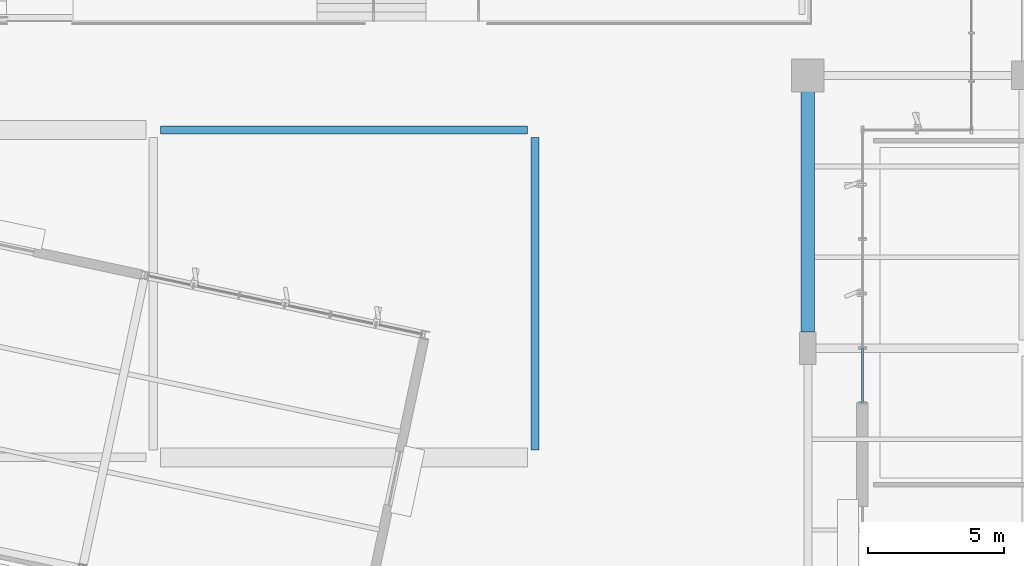
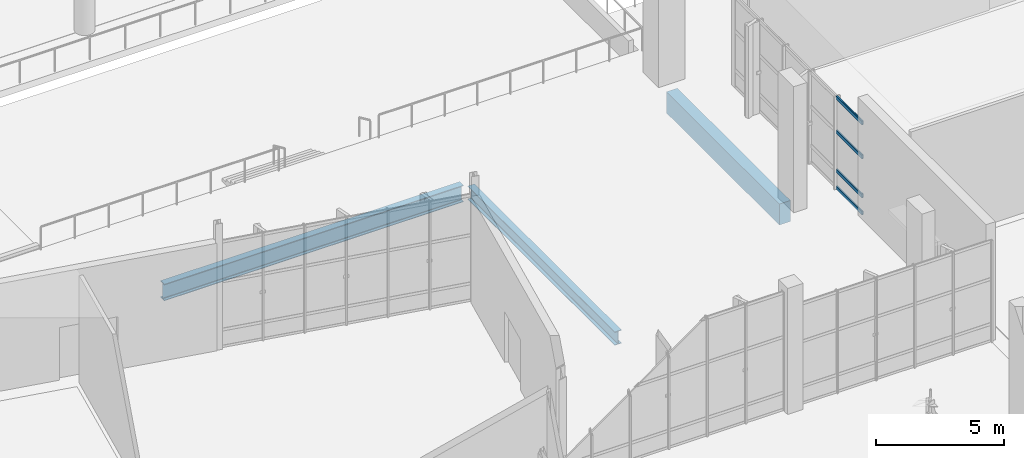
# One storey, part 60 of 163: 4 members, 3 beams, 1 element without a shape of its own.
"""IFC4 building model written with IfcOpenShell, lengths in metres."""

from ifc_helpers import new_model, si_unit, direction, frame, origin, origin_2d, place, context, subcontext, project, spatial, rectangle, hollow_rectangle, i_section, extrude, material, layer, layer_set, material_profile, profile_set, type_object, element, aggregate, save


model = new_model("IFC4")

# Units and contexts
model_context = context("Model", 3, precision=1e-05, world=origin(), true_north=direction((0.0, 1.0)))
body_context = subcontext(model_context, "Body", "Model", "MODEL_VIEW")
ifc_project = project(units=[si_unit("LENGTHUNIT", "METRE"), si_unit("AREAUNIT", "SQUARE_METRE"), si_unit("VOLUMEUNIT", "CUBIC_METRE"), si_unit("PLANEANGLEUNIT", "RADIAN"), si_unit("MASSUNIT", "GRAM", prefix="KILO")], contexts=[model_context])

# Site, building, storey
site_placement = place(None, origin())
site = spatial("IfcSite", under=ifc_project, at=site_placement, CompositionType="ELEMENT")
building_placement = place(site_placement, origin())
building = spatial("IfcBuilding", under=site, at=building_placement, Name="Khorjan Park Terminus", CompositionType="ELEMENT")
storey_placement = place(building_placement, origin())
storey = spatial("IfcBuildingStorey", under=building, at=storey_placement, Name="L00", CompositionType="ELEMENT", Elevation=0.0)

# Beams
ifc_material_1 = material(Name="Steel S355", Category="steel")
ifc_material_profile_1 = material_profile(ifc_material_1, i_section(OverallWidth=0.3, OverallDepth=0.64, WebThickness=0.0135, FlangeThickness=0.026, FilletRadius=0.027, at=origin_2d()), Name="HEA 650")
ifc_profile_set_1 = profile_set([ifc_material_profile_1], Name="Steel S355")
beam_type_1 = type_object("IfcBeamType", Name="BM-HEA650", PredefinedType="BEAM", material=ifc_profile_set_1)
beam_1_placement = place(storey_placement, frame((38.0, 74.27, -0.64), z_axis=(0.0, 1.0, 0.0), x_axis=(-1.0, 0.0, 0.0)))
element("IfcBeam", 1, at=beam_1_placement, inside=storey, type_object=beam_type_1, Name="Primary floor girder SB-A65 (L00)", PredefinedType="BEAM", context=body_context, shape_type="SweptSolid", body=[
    extrude(i_section(OverallWidth=0.3, OverallDepth=0.64, WebThickness=0.0135, FlangeThickness=0.026, FilletRadius=0.027, at=origin_2d()), origin(), (0.0, 0.0, 1.0), 11.46),
])
ifc_material_profile_2 = material_profile(ifc_material_1, i_section(OverallWidth=0.3, OverallDepth=0.79, WebThickness=0.015, FlangeThickness=0.028, FilletRadius=0.03, at=origin_2d()), Name="HEA 800")
ifc_profile_set_2 = profile_set([ifc_material_profile_2], Name="Steel S355")
beam_type_2 = type_object("IfcBeamType", Name="BM-HEA800", PredefinedType="BEAM", material=ifc_profile_set_2)
beam_2_placement = place(storey_placement, frame((24.27, 86.0, -0.715), z_axis=(1.0, 0.0, 0.0), x_axis=(0.0, 1.0, 0.0)))
element("IfcBeam", 2, at=beam_2_placement, inside=storey, type_object=beam_type_2, Name="Primary floor girder SB-A80 (L00)", PredefinedType="BEAM", context=body_context, shape_type="SweptSolid", body=[
    extrude(i_section(OverallWidth=0.3, OverallDepth=0.79, WebThickness=0.015, FlangeThickness=0.028, FilletRadius=0.03, at=origin_2d()), origin(), (0.0, 0.0, 1.0), 13.46),
])
ifc_material_2 = material(Name="Concrete C40/50", Category="concrete")
ifc_material_profile_3 = material_profile(ifc_material_2, rectangle(XDim=0.5, YDim=1.0, at=origin_2d()), Name="RC 500x1000")
ifc_profile_set_3 = profile_set([ifc_material_profile_3], Name="Concrete C40/50")
beam_type_3 = type_object("IfcBeamType", Name="BM-RC500x1000", PredefinedType="BEAM", material=ifc_profile_set_3)
beam_3_placement = place(storey_placement, frame((48.0, 78.595, -0.82), z_axis=(0.0, 1.0, 0.0), x_axis=(-1.0, 0.0, 0.0)))
element("IfcBeam", 3, at=beam_3_placement, inside=storey, type_object=beam_type_3, Name="Primary floor girder GB-10B (L00)", PredefinedType="BEAM", context=body_context, shape_type="SweptSolid", body=[
    extrude(rectangle(XDim=0.5, YDim=1.0, at=origin_2d()), origin(), (0.0, 0.0, 1.0), 8.81),
])

# Curtain wall, members
ifc_material_3 = material(Name="Anodized Bronze Aluminium", Category="aluminium")
ifc_layer = layer(ifc_material_3, 0.22)
ifc_layer_set = layer_set([ifc_layer], Name="Anodized Bronze Aluminium")
curtain_wall_type = type_object("IfcCurtainWallType", Name="CW-CONC-A", PredefinedType="NOTDEFINED", material=ifc_layer_set)
curtain_wall_placement = place(storey_placement, origin())
curtain_wall = element("IfcCurtainWall", 4, at=curtain_wall_placement, inside=storey, type_object=curtain_wall_type, Name="Unitized curtain wall CW-A (CW-V2-W-L00-05)", PredefinedType="NOTDEFINED")
ifc_material_profile_4 = material_profile(ifc_material_3, hollow_rectangle(XDim=0.075, YDim=0.185, WallThickness=0.005, InnerFilletRadius=0.005, OuterFilletRadius=0.01, at=origin_2d()), Name="ALT 75x185x5")
ifc_profile_set_4 = profile_set([ifc_material_profile_4], Name="Anodized Bronze Aluminium")
member_type = type_object("IfcMemberType", Name="TR-ALT-185", PredefinedType="USERDEFINED", material=ifc_profile_set_4)
member_1_placement = place(storey_placement, frame((50.0, 78.0, 0.04), z_axis=(0.0, -1.0, 0.0), x_axis=(1.0, 0.0, 0.0)))
member_1 = element("IfcMember", 5, at=member_1_placement, type_object=member_type, Name="Curtain-wall transom TR-18 (CW-V2-W-L00-05-4-1)", ObjectType="TRANSOM", PredefinedType="USERDEFINED", context=body_context, shape_type="SweptSolid", body=[
    extrude(hollow_rectangle(XDim=0.075, YDim=0.185, WallThickness=0.005, InnerFilletRadius=0.005, OuterFilletRadius=0.01, at=origin_2d()), origin(), (0.0, 0.0, 1.0), 2.0),
])
member_2_placement = place(storey_placement, frame((50.0, 78.0, 0.85), z_axis=(0.0, -1.0, 0.0), x_axis=(1.0, 0.0, 0.0)))
member_2 = element("IfcMember", 6, at=member_2_placement, type_object=member_type, Name="Curtain-wall transom TR-18 (CW-V2-W-L00-05-4-2)", ObjectType="TRANSOM", PredefinedType="USERDEFINED", context=body_context, shape_type="SweptSolid", body=[
    extrude(hollow_rectangle(XDim=0.075, YDim=0.185, WallThickness=0.005, InnerFilletRadius=0.005, OuterFilletRadius=0.01, at=origin_2d()), origin(), (0.0, 0.0, 1.0), 2.0),
])
member_3_placement = place(storey_placement, frame((50.0, 78.0, 2.7063), z_axis=(0.0, -1.0, 0.0), x_axis=(1.0, 0.0, 0.0)))
member_3 = element("IfcMember", 7, at=member_3_placement, type_object=member_type, Name="Curtain-wall transom TR-18 (CW-V2-W-L00-05-4-3)", ObjectType="TRANSOM", PredefinedType="USERDEFINED", context=body_context, shape_type="SweptSolid", body=[
    extrude(hollow_rectangle(XDim=0.075, YDim=0.185, WallThickness=0.005, InnerFilletRadius=0.005, OuterFilletRadius=0.01, at=origin_2d()), origin(), (0.0, 0.0, 1.0), 2.0),
])
member_4_placement = place(storey_placement, frame((50.0, 78.0, 4.325), z_axis=(0.0, -1.0, 0.0), x_axis=(1.0, 0.0, 0.0)))
member_4 = element("IfcMember", 8, at=member_4_placement, type_object=member_type, Name="Curtain-wall transom TR-18 (CW-V2-W-L00-05-4-4)", ObjectType="TRANSOM", PredefinedType="USERDEFINED", context=body_context, shape_type="SweptSolid", body=[
    extrude(hollow_rectangle(XDim=0.075, YDim=0.185, WallThickness=0.005, InnerFilletRadius=0.005, OuterFilletRadius=0.01, at=origin_2d()), origin(), (0.0, 0.0, 1.0), 2.0),
])
aggregate(curtain_wall, [member_1, member_2, member_3, member_4])

save(model, "model.ifc")
